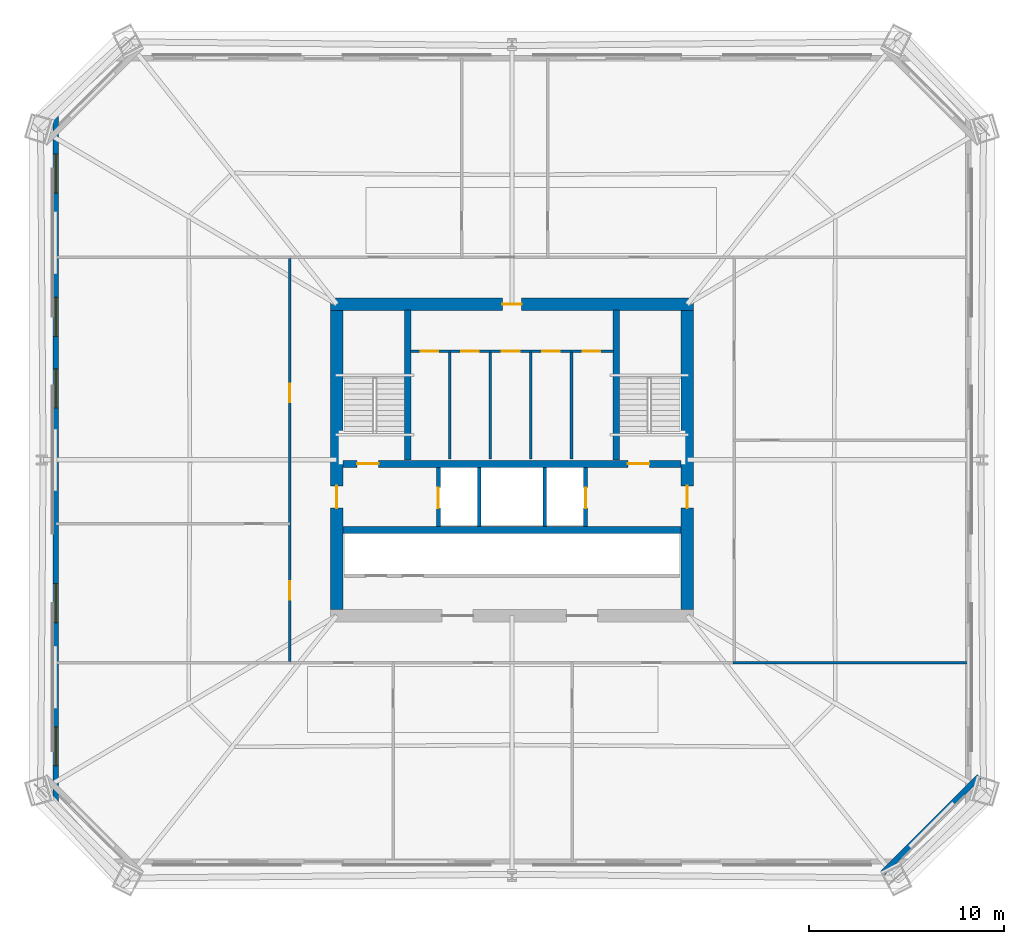
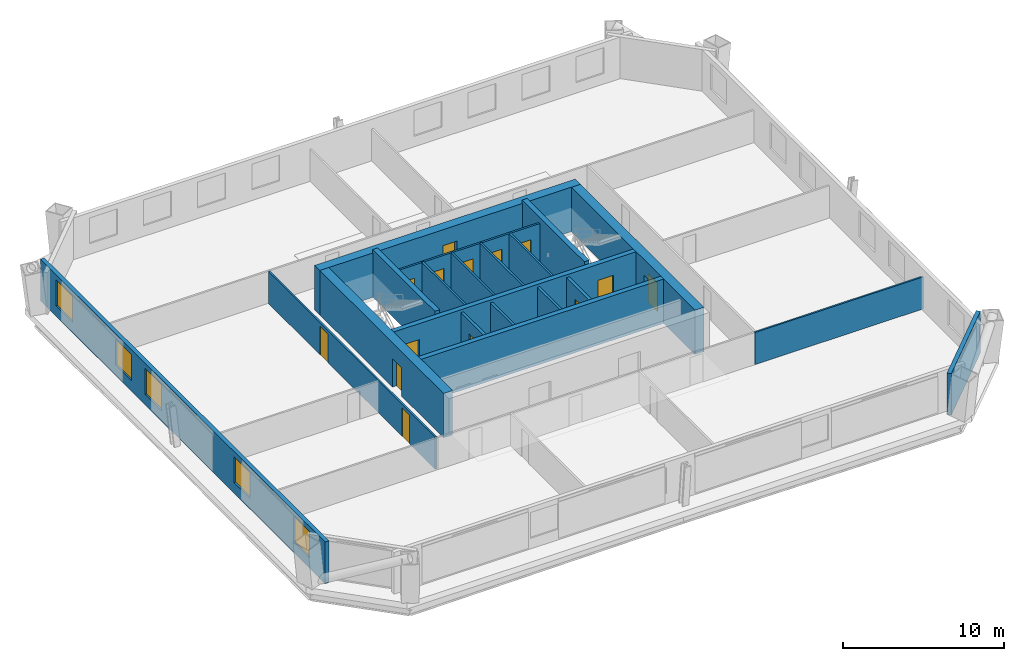
# One storey, part 3 of 7: 20 walls, 14 doors, 5 windows, 19 openings.
"""IFC4 building model written with IfcOpenShell, lengths in metres."""

from ifc_helpers import new_model, si_unit, direction, frame, frame_2d, origin, place, context, subcontext, project, spatial, rectangle, extrude, material, layer, layer_set, type_object, element, fill, save


model = new_model("IFC4")

# Units and contexts
model_context = context("Model", 3, precision=1e-05, world=origin(), true_north=direction((0.0, 1.0)))
body_context = subcontext(model_context, "Body", "Model", "MODEL_VIEW")
ifc_project = project(units=[si_unit("LENGTHUNIT", "METRE"), si_unit("AREAUNIT", "SQUARE_METRE"), si_unit("VOLUMEUNIT", "CUBIC_METRE"), si_unit("PLANEANGLEUNIT", "RADIAN"), si_unit("MASSUNIT", "GRAM", prefix="KILO")], contexts=[model_context])

# Site, building, storey
site_placement = place(None, origin())
site = spatial("IfcSite", under=ifc_project, at=site_placement, CompositionType="ELEMENT")
building_placement = place(site_placement, origin())
building = spatial("IfcBuilding", under=site, at=building_placement, Name="Caelvoria Tower", CompositionType="ELEMENT")
storey_placement = place(building_placement, frame((0.0, 0.0, 35.199951171875)))
storey = spatial("IfcBuildingStorey", under=building, at=storey_placement, Name="L08", CompositionType="ELEMENT", Elevation=35.199951171875)

# Wall, openings, doors
ifc_material_1 = material(Name="Concrete C50/60", Category="concrete")
ifc_layer_1 = layer(ifc_material_1, 0.35009765625, Name="Concrete C50/60")
ifc_layer_set_1 = layer_set([ifc_layer_1], Name="Core Internal Shear Wall 350 - Concrete C50/60")
wall_type_1 = type_object("IfcWallType", Name="Core Internal Shear Wall 350", PredefinedType="SHEAR", material=ifc_layer_set_1)
wall_1_placement = place(storey_placement, frame((37.324951171875, 31.800048828125, 0.0), z_axis=(0.0, 0.0, 1.0), x_axis=(1.0, 0.0, 0.0)))
wall_1 = element("IfcWall", 1, at=wall_1_placement, inside=storey, type_object=wall_type_1, Name="Core Shear Wall L08 M1", PredefinedType="SHEAR", context=body_context, shape_type="SweptSolid", body=[
    extrude(rectangle(XDim=17.35009765625, YDim=0.35009765625, at=frame_2d((8.675048828125, 0.0))), origin(), (0.0, 0.0, 1.0), 3.360107421875),
])
opening_1_placement = place(wall_1_placement, frame((0.72509765625, 0.0, 0.0)))
opening_1 = element("IfcOpeningElement", 2, at=opening_1_placement, cuts=wall_1, Name="Opening ID-01", PredefinedType="OPENING", context=body_context, shape_type="SweptSolid", body=[
    extrude(rectangle(XDim=1.10009765625, YDim=2.14990234375, at=frame_2d((0.550048828125, 1.074951171875))), frame((0.0, 0.18505859375, 0.0), z_axis=(0.0, -1.0, 0.0), x_axis=(1.0, 0.0, 0.0)), (0.0, 0.0, 1.0), 0.3701171875),
])
opening_2_placement = place(wall_1_placement, frame((14.625, 0.0, 0.0)))
opening_2 = element("IfcOpeningElement", 3, at=opening_2_placement, cuts=wall_1, Name="Opening ID-01", PredefinedType="OPENING", context=body_context, shape_type="SweptSolid", body=[
    extrude(rectangle(XDim=1.10009765625, YDim=2.14990234375, at=frame_2d((0.550048828125, 1.074951171875))), frame((0.0, 0.18505859375, 0.0), z_axis=(0.0, -1.0, 0.0), x_axis=(1.0, 0.0, 0.0)), (0.0, 0.0, 1.0), 0.3701171875),
])
ifc_material_2 = material(Name="Painted Hollow Steel Fire Door", Category="steel")
door_type_1 = type_object("IfcDoorType", Name="Fire Door FD90S 1100x2150", OperationType="NOTDEFINED", PredefinedType="DOOR", material=ifc_material_2)
door_1_placement = place(opening_1_placement, origin())
door_1 = element("IfcDoor", 4, at=door_1_placement, inside=storey, type_object=door_type_1, Name="Core Door DR-L08-ST1", OperationType="SINGLE_SWING_LEFT", OverallHeight=2.14990234375, OverallWidth=1.10009765625, PredefinedType="DOOR", context=body_context, shape_type="SweptSolid", body=[
    extrude(rectangle(XDim=1.10009765625, YDim=2.14990234375, at=frame_2d((0.550048828125, 1.074951171875))), frame((0.0, 0.02490234375, 0.0), z_axis=(0.0, -1.0, 0.0), x_axis=(1.0, 0.0, 0.0)), (0.0, 0.0, 1.0), 0.050048828125),
])
fill(opening_1, door_1)
door_2_placement = place(opening_2_placement, origin())
door_2 = element("IfcDoor", 5, at=door_2_placement, inside=storey, type_object=door_type_1, Name="Core Door DR-L08-ST2", OperationType="SINGLE_SWING_RIGHT", OverallHeight=2.14990234375, OverallWidth=1.10009765625, PredefinedType="DOOR", context=body_context, shape_type="SweptSolid", body=[
    extrude(rectangle(XDim=1.10009765625, YDim=2.14990234375, at=frame_2d((0.550048828125, 1.074951171875))), frame((0.0, 0.02490234375, 0.0), z_axis=(0.0, -1.0, 0.0), x_axis=(1.0, 0.0, 0.0)), (0.0, 0.0, 1.0), 0.050048828125),
])
fill(opening_2, door_2)

# Walls
wall_2_placement = place(storey_placement, frame((37.324951171875, 28.39990234375, 0.0), z_axis=(0.0, 0.0, 1.0), x_axis=(1.0, 0.0, 0.0)))
element("IfcWall", 6, at=wall_2_placement, inside=storey, type_object=wall_type_1, Name="Core Shear Wall L08 M2", PredefinedType="SHEAR", context=body_context, shape_type="SweptSolid", body=[
    extrude(rectangle(XDim=17.35009765625, YDim=0.35009765625, at=frame_2d((8.675048828125, 0.0))), origin(), (0.0, 0.0, 1.0), 3.360107421875),
])
for number, where, z_axis, x_axis, name in (
    (7, (40.64990234375, 32.0, 0.0), (0.0, 0.0, 1.0), (0.0, 1.0, 0.0), "Interior Partition IW-L08-ST1E"),
    (8, (51.35009765625, 32.0, 0.0), (0.0, 0.0, 1.0), (0.0, 1.0, 0.0), "Interior Partition IW-L08-ST2W"),
):
    element("IfcWall", number, at=place(storey_placement, frame(where, z_axis=z_axis, x_axis=x_axis)), inside=storey, type_object=wall_type_1, Name=name, PredefinedType="SHEAR", context=body_context, shape_type="SweptSolid", body=[
        extrude(rectangle(XDim=7.699951171875, YDim=0.35009765625, at=frame_2d((3.85009765625, 0.0))), origin(), (0.0, 0.0, 1.0), 3.60009765625),
    ])
ifc_material_3 = material(Name="Moisture-Resistant Gypsum on Steel Stud", Category="steel")
ifc_layer_2 = layer(ifc_material_3, 0.139892578125, Name="Moisture-Resistant Gypsum on Steel Stud")
ifc_layer_set_2 = layer_set([ifc_layer_2], Name="Core Sanitary Acoustic Partition Wall 140 - Moisture-Resistant Gypsum on Steel Stud")
wall_type_2 = type_object("IfcWallType", Name="Core Sanitary Acoustic Partition Wall 140", PredefinedType="PARTITIONING", material=ifc_layer_set_2)
for number, where, z_axis, x_axis, name in (
    (9, (42.81005859375, 32.050048828125, 0.0), (0.0, 0.0, 1.0), (0.0, 1.0, 0.0), "Interior Partition IW-L08-C1V0"),
    (10, (44.889892578125, 32.050048828125, 0.0), (0.0, 0.0, 1.0), (0.0, 1.0, 0.0), "Interior Partition IW-L08-C1V1"),
    (11, (46.969970703125, 32.050048828125, 0.0), (0.0, 0.0, 1.0), (0.0, 1.0, 0.0), "Interior Partition IW-L08-C1V2"),
    (12, (49.050048828125, 32.050048828125, 0.0), (0.0, 0.0, 1.0), (0.0, 1.0, 0.0), "Interior Partition IW-L08-C1V3"),
):
    element("IfcWall", number, at=place(storey_placement, frame(where, z_axis=z_axis, x_axis=x_axis)), inside=storey, type_object=wall_type_2, Name=name, PredefinedType="PARTITIONING", context=body_context, shape_type="SweptSolid", body=[
        extrude(rectangle(XDim=5.5, YDim=0.139892578125, at=frame_2d((2.75, 0.0))), origin(), (0.0, 0.0, 1.0), 3.150146484375),
    ])

# Wall, openings, doors
wall_3_placement = place(storey_placement, frame((40.800048828125, 37.580078125, 0.0), z_axis=(0.0, 0.0, 1.0), x_axis=(1.0, 0.0, 0.0)))
wall_3 = element("IfcWall", 13, at=wall_3_placement, inside=storey, type_object=wall_type_2, Name="Interior Partition IW-L08-C1H", PredefinedType="PARTITIONING", context=body_context, shape_type="SweptSolid", body=[
    extrude(rectangle(XDim=10.39990234375, YDim=0.139892578125, at=frame_2d((5.199951171875, 0.0))), origin(), (0.0, 0.0, 1.0), 3.150146484375),
])
opening_3_placement = place(wall_3_placement, frame((0.52001953125, 0.0, 0.0)))
opening_3 = element("IfcOpeningElement", 14, at=opening_3_placement, cuts=wall_3, Name="Opening ID-06", PredefinedType="OPENING", context=body_context, shape_type="SweptSolid", body=[
    extrude(rectangle(XDim=0.89990234375, YDim=2.14990234375, at=frame_2d((0.449951171875, 1.074951171875))), frame((0.0, 0.079833984375, 0.0), z_axis=(0.0, -1.0, 0.0), x_axis=(1.0, 0.0, 0.0)), (0.0, 0.0, 1.0), 0.159912109375),
])
opening_4_placement = place(wall_3_placement, frame((2.60009765625, 0.0, 0.0)))
opening_4 = element("IfcOpeningElement", 15, at=opening_4_placement, cuts=wall_3, Name="Opening ID-06", PredefinedType="OPENING", context=body_context, shape_type="SweptSolid", body=[
    extrude(rectangle(XDim=0.89990234375, YDim=2.14990234375, at=frame_2d((0.449951171875, 1.074951171875))), frame((0.0, 0.079833984375, 0.0), z_axis=(0.0, -1.0, 0.0), x_axis=(1.0, 0.0, 0.0)), (0.0, 0.0, 1.0), 0.159912109375),
])
opening_5_placement = place(wall_3_placement, frame((4.679931640625, 0.0, 0.0)))
opening_5 = element("IfcOpeningElement", 16, at=opening_5_placement, cuts=wall_3, Name="Opening ID-07", PredefinedType="OPENING", context=body_context, shape_type="SweptSolid", body=[
    extrude(rectangle(XDim=0.919921875, YDim=2.14990234375, at=frame_2d((0.4599609375, 1.074951171875))), frame((0.0, 0.079833984375, 0.0), z_axis=(0.0, -1.0, 0.0), x_axis=(1.0, 0.0, 0.0)), (0.0, 0.0, 1.0), 0.159912109375),
])
opening_6_placement = place(wall_3_placement, frame((6.760009765625, 0.0, 0.0)))
opening_6 = element("IfcOpeningElement", 17, at=opening_6_placement, cuts=wall_3, Name="Opening ID-06", PredefinedType="OPENING", context=body_context, shape_type="SweptSolid", body=[
    extrude(rectangle(XDim=0.89990234375, YDim=2.14990234375, at=frame_2d((0.449951171875, 1.074951171875))), frame((0.0, 0.079833984375, 0.0), z_axis=(0.0, -1.0, 0.0), x_axis=(1.0, 0.0, 0.0)), (0.0, 0.0, 1.0), 0.159912109375),
])
opening_7_placement = place(wall_3_placement, frame((8.840087890625, 0.0, 0.0)))
opening_7 = element("IfcOpeningElement", 18, at=opening_7_placement, cuts=wall_3, Name="Opening ID-06", PredefinedType="OPENING", context=body_context, shape_type="SweptSolid", body=[
    extrude(rectangle(XDim=0.89990234375, YDim=2.14990234375, at=frame_2d((0.449951171875, 1.074951171875))), frame((0.0, 0.079833984375, 0.0), z_axis=(0.0, -1.0, 0.0), x_axis=(1.0, 0.0, 0.0)), (0.0, 0.0, 1.0), 0.159912109375),
])
ifc_material_4 = material(Name="Engineered Andean Oak Accessible Door", Category="wood")
door_type_2 = type_object("IfcDoorType", Name="Accessible WC Door 950x2150", OperationType="NOTDEFINED", PredefinedType="DOOR", material=ifc_material_4)
door_3_placement = place(opening_5_placement, origin())
door_3 = element("IfcDoor", 19, at=door_3_placement, inside=storey, type_object=door_type_2, Name="Interior Door DR-L08-C1-3", OperationType="SINGLE_SWING_LEFT", OverallHeight=2.14990234375, OverallWidth=0.919921875, PredefinedType="DOOR", context=body_context, shape_type="SweptSolid", body=[
    extrude(rectangle(XDim=0.919921875, YDim=2.14990234375, at=frame_2d((0.4599609375, 1.074951171875))), frame((0.0, 0.02490234375, 0.0), z_axis=(0.0, -1.0, 0.0), x_axis=(1.0, 0.0, 0.0)), (0.0, 0.0, 1.0), 0.050048828125),
])
fill(opening_5, door_3)
ifc_material_5 = material(Name="Engineered Andean Oak Veneer Door", Category="wood")
door_type_3 = type_object("IfcDoorType", Name="Interior Timber Door 900x2150", OperationType="NOTDEFINED", PredefinedType="DOOR", material=ifc_material_5)
door_4_placement = place(opening_3_placement, origin())
door_4 = element("IfcDoor", 20, at=door_4_placement, inside=storey, type_object=door_type_3, Name="Interior Door DR-L08-C1-1", OperationType="SINGLE_SWING_LEFT", OverallHeight=2.14990234375, OverallWidth=0.89990234375, PredefinedType="DOOR", context=body_context, shape_type="SweptSolid", body=[
    extrude(rectangle(XDim=0.89990234375, YDim=2.14990234375, at=frame_2d((0.449951171875, 1.074951171875))), frame((0.0, 0.02490234375, 0.0), z_axis=(0.0, -1.0, 0.0), x_axis=(1.0, 0.0, 0.0)), (0.0, 0.0, 1.0), 0.050048828125),
])
fill(opening_3, door_4)
door_5_placement = place(opening_4_placement, origin())
door_5 = element("IfcDoor", 21, at=door_5_placement, inside=storey, type_object=door_type_3, Name="Interior Door DR-L08-C1-2", OperationType="SINGLE_SWING_RIGHT", OverallHeight=2.14990234375, OverallWidth=0.89990234375, PredefinedType="DOOR", context=body_context, shape_type="SweptSolid", body=[
    extrude(rectangle(XDim=0.89990234375, YDim=2.14990234375, at=frame_2d((0.449951171875, 1.074951171875))), frame((0.0, 0.02490234375, 0.0), z_axis=(0.0, -1.0, 0.0), x_axis=(1.0, 0.0, 0.0)), (0.0, 0.0, 1.0), 0.050048828125),
])
fill(opening_4, door_5)
door_6_placement = place(opening_6_placement, origin())
door_6 = element("IfcDoor", 22, at=door_6_placement, inside=storey, type_object=door_type_3, Name="Interior Door DR-L08-C1-4", OperationType="SINGLE_SWING_RIGHT", OverallHeight=2.14990234375, OverallWidth=0.89990234375, PredefinedType="DOOR", context=body_context, shape_type="SweptSolid", body=[
    extrude(rectangle(XDim=0.89990234375, YDim=2.14990234375, at=frame_2d((0.449951171875, 1.074951171875))), frame((0.0, 0.02490234375, 0.0), z_axis=(0.0, -1.0, 0.0), x_axis=(1.0, 0.0, 0.0)), (0.0, 0.0, 1.0), 0.050048828125),
])
fill(opening_6, door_6)
door_7_placement = place(opening_7_placement, origin())
door_7 = element("IfcDoor", 23, at=door_7_placement, inside=storey, type_object=door_type_3, Name="Interior Door DR-L08-C1-5", OperationType="SINGLE_SWING_LEFT", OverallHeight=2.14990234375, OverallWidth=0.89990234375, PredefinedType="DOOR", context=body_context, shape_type="SweptSolid", body=[
    extrude(rectangle(XDim=0.89990234375, YDim=2.14990234375, at=frame_2d((0.449951171875, 1.074951171875))), frame((0.0, 0.02490234375, 0.0), z_axis=(0.0, -1.0, 0.0), x_axis=(1.0, 0.0, 0.0)), (0.0, 0.0, 1.0), 0.050048828125),
])
fill(opening_7, door_7)

# Wall
ifc_material_6 = material(Name="Precast Concrete C40/50 with Bronze Cladding", Category="concrete")
ifc_layer_3 = layer(ifc_material_6, 0.280029296875, Name="Precast Concrete C40/50 with Bronze Cladding")
ifc_layer_set_3 = layer_set([ifc_layer_3], Name="Exterior Precast Concrete C40/50 Bronze-Clad Facade Wall 280 - Precast Concrete C40/50 with Bronze Cladding")
wall_type_3 = type_object("IfcWallType", Name="Exterior Precast Concrete C40/50 Bronze-Clad Facade Wall 280", PredefinedType="STANDARD", material=ifc_layer_set_3)
wall_4_placement = place(storey_placement, frame((65.054443359375, 10.80615234375, 0.0), z_axis=(0.0, 0.0, 1.0), x_axis=(0.707106781187, 0.707106781187, 0.0)))
element("IfcWall", 24, at=wall_4_placement, inside=storey, type_object=wall_type_3, Name="Exterior Facade Wall L08-E1", PredefinedType="STANDARD", context=body_context, shape_type="SweptSolid", body=[
    extrude(rectangle(XDim=6.9853515625, YDim=0.280029296875, at=frame_2d((3.49267578125, 0.0))), origin(), (0.0, 0.0, 1.0), 3.150146484375),
])

# Wall, openings, windows
wall_5_placement = place(storey_placement, frame((22.580078125, 49.639892578125, 0.0), z_axis=(0.0, 0.0, 1.0), x_axis=(0.0, -1.0, 0.0)))
wall_5 = element("IfcWall", 25, at=wall_5_placement, inside=storey, type_object=wall_type_3, Name="Exterior Facade Wall L08-E6", PredefinedType="STANDARD", context=body_context, shape_type="SweptSolid", body=[
    extrude(rectangle(XDim=35.27978515625, YDim=0.280029296875, at=frame_2d((17.639892578125, 0.0))), origin(), (0.0, 0.0, 1.0), 3.150146484375),
])
opening_8_placement = place(wall_5_placement, frame((1.937744140625, 0.0, 0.800048828125)))
opening_8 = element("IfcOpeningElement", 26, at=opening_8_placement, cuts=wall_5, Name="Opening WN-01", PredefinedType="OPENING", context=body_context, shape_type="SweptSolid", body=[
    extrude(rectangle(XDim=2.0, YDim=1.949951171875, at=frame_2d((1.0, 0.97509765625))), frame((0.0, 0.14990234375, 0.0), z_axis=(0.0, -1.0, 0.0), x_axis=(1.0, 0.0, 0.0)), (0.0, 0.0, 1.0), 0.300048828125),
])
opening_9_placement = place(wall_5_placement, frame((9.288818359375, 0.0, 0.800048828125)))
opening_9 = element("IfcOpeningElement", 27, at=opening_9_placement, cuts=wall_5, Name="Opening WN-01", PredefinedType="OPENING", context=body_context, shape_type="SweptSolid", body=[
    extrude(rectangle(XDim=2.0, YDim=1.949951171875, at=frame_2d((1.0, 0.97509765625))), frame((0.0, 0.14990234375, 0.0), z_axis=(0.0, -1.0, 0.0), x_axis=(1.0, 0.0, 0.0)), (0.0, 0.0, 1.0), 0.300048828125),
])
opening_10_placement = place(wall_5_placement, frame((12.96435546875, 0.0, 0.800048828125)))
opening_10 = element("IfcOpeningElement", 28, at=opening_10_placement, cuts=wall_5, Name="Opening WN-01", PredefinedType="OPENING", context=body_context, shape_type="SweptSolid", body=[
    extrude(rectangle(XDim=2.0, YDim=1.949951171875, at=frame_2d((1.0, 0.97509765625))), frame((0.0, 0.14990234375, 0.0), z_axis=(0.0, -1.0, 0.0), x_axis=(1.0, 0.0, 0.0)), (0.0, 0.0, 1.0), 0.300048828125),
])
opening_11_placement = place(wall_5_placement, frame((23.9912109375, 0.0, 0.800048828125)))
opening_11 = element("IfcOpeningElement", 29, at=opening_11_placement, cuts=wall_5, Name="Opening WN-01", PredefinedType="OPENING", context=body_context, shape_type="SweptSolid", body=[
    extrude(rectangle(XDim=2.0, YDim=1.949951171875, at=frame_2d((1.0, 0.97509765625))), frame((0.0, 0.14990234375, 0.0), z_axis=(0.0, -1.0, 0.0), x_axis=(1.0, 0.0, 0.0)), (0.0, 0.0, 1.0), 0.300048828125),
])
opening_12_placement = place(wall_5_placement, frame((31.34228515625, 0.0, 0.800048828125)))
opening_12 = element("IfcOpeningElement", 30, at=opening_12_placement, cuts=wall_5, Name="Opening WN-01", PredefinedType="OPENING", context=body_context, shape_type="SweptSolid", body=[
    extrude(rectangle(XDim=2.0, YDim=1.949951171875, at=frame_2d((1.0, 0.97509765625))), frame((0.0, 0.14990234375, 0.0), z_axis=(0.0, -1.0, 0.0), x_axis=(1.0, 0.0, 0.0)), (0.0, 0.0, 1.0), 0.300048828125),
])
ifc_material_7 = material(Name="Low-E Tinted Glass in Bronze Aluminium Frame", Category="aluminium")
window_type = type_object("IfcWindowType", Name="Tower Office Vision Window 2000x1950", PartitioningType="SINGLE_PANEL", PredefinedType="WINDOW", material=ifc_material_7)
window_1_placement = place(opening_8_placement, origin())
window_1 = element("IfcWindow", 31, at=window_1_placement, inside=storey, type_object=window_type, Name="Facade Window L08-E6-00", OverallHeight=1.949951171875, OverallWidth=2.0, PartitioningType="SINGLE_PANEL", PredefinedType="WINDOW", context=body_context, shape_type="SweptSolid", body=[
    extrude(rectangle(XDim=2.0, YDim=1.949951171875, at=frame_2d((1.0, 0.97509765625))), frame((0.0, 0.030029296875, 0.0), z_axis=(0.0, -1.0, 0.0), x_axis=(1.0, 0.0, 0.0)), (0.0, 0.0, 1.0), 0.06005859375),
])
fill(opening_8, window_1)
window_2_placement = place(opening_9_placement, origin())
window_2 = element("IfcWindow", 32, at=window_2_placement, inside=storey, type_object=window_type, Name="Facade Window L08-E6-02", OverallHeight=1.949951171875, OverallWidth=2.0, PartitioningType="SINGLE_PANEL", PredefinedType="WINDOW", context=body_context, shape_type="SweptSolid", body=[
    extrude(rectangle(XDim=2.0, YDim=1.949951171875, at=frame_2d((1.0, 0.97509765625))), frame((0.0, 0.030029296875, 0.0), z_axis=(0.0, -1.0, 0.0), x_axis=(1.0, 0.0, 0.0)), (0.0, 0.0, 1.0), 0.06005859375),
])
fill(opening_9, window_2)
window_3_placement = place(opening_10_placement, origin())
window_3 = element("IfcWindow", 33, at=window_3_placement, inside=storey, type_object=window_type, Name="Facade Window L08-E6-03", OverallHeight=1.949951171875, OverallWidth=2.0, PartitioningType="SINGLE_PANEL", PredefinedType="WINDOW", context=body_context, shape_type="SweptSolid", body=[
    extrude(rectangle(XDim=2.0, YDim=1.949951171875, at=frame_2d((1.0, 0.97509765625))), frame((0.0, 0.030029296875, 0.0), z_axis=(0.0, -1.0, 0.0), x_axis=(1.0, 0.0, 0.0)), (0.0, 0.0, 1.0), 0.06005859375),
])
fill(opening_10, window_3)
window_4_placement = place(opening_11_placement, origin())
window_4 = element("IfcWindow", 34, at=window_4_placement, inside=storey, type_object=window_type, Name="Facade Window L08-E6-06", OverallHeight=1.949951171875, OverallWidth=2.0, PartitioningType="SINGLE_PANEL", PredefinedType="WINDOW", context=body_context, shape_type="SweptSolid", body=[
    extrude(rectangle(XDim=2.0, YDim=1.949951171875, at=frame_2d((1.0, 0.97509765625))), frame((0.0, 0.030029296875, 0.0), z_axis=(0.0, -1.0, 0.0), x_axis=(1.0, 0.0, 0.0)), (0.0, 0.0, 1.0), 0.06005859375),
])
fill(opening_11, window_4)
window_5_placement = place(opening_12_placement, origin())
window_5 = element("IfcWindow", 35, at=window_5_placement, inside=storey, type_object=window_type, Name="Facade Window L08-E6-08", OverallHeight=1.949951171875, OverallWidth=2.0, PartitioningType="SINGLE_PANEL", PredefinedType="WINDOW", context=body_context, shape_type="SweptSolid", body=[
    extrude(rectangle(XDim=2.0, YDim=1.949951171875, at=frame_2d((1.0, 0.97509765625))), frame((0.0, 0.030029296875, 0.0), z_axis=(0.0, -1.0, 0.0), x_axis=(1.0, 0.0, 0.0)), (0.0, 0.0, 1.0), 0.06005859375),
])
fill(opening_12, window_5)

# Walls
ifc_material_8 = material(Name="Concrete Block and Fireboard Assembly", Category="concrete")
ifc_layer_4 = layer(ifc_material_8, 0.179931640625, Name="Concrete Block and Fireboard Assembly")
ifc_layer_set_4 = layer_set([ifc_layer_4], Name="Fire-Rated Hoistway Partition Wall 180 - Concrete Block and Fireboard Assembly")
wall_type_4 = type_object("IfcWallType", Name="Fire-Rated Hoistway Partition Wall 180", PredefinedType="PARTITIONING", material=ifc_layer_set_4)
for number, where, z_axis, x_axis, name in (
    (36, (44.320068359375, 28.580078125, 0.0), (0.0, 0.0, 1.0), (0.0, 1.0, 0.0), "Interior Partition IW-L08-SV1W"),
    (37, (47.679931640625, 28.580078125, 0.0), (0.0, 0.0, 1.0), (0.0, 1.0, 0.0), "Interior Partition IW-L08-SV1E"),
):
    element("IfcWall", number, at=place(storey_placement, frame(where, z_axis=z_axis, x_axis=x_axis)), inside=storey, type_object=wall_type_4, Name=name, PredefinedType="PARTITIONING", context=body_context, shape_type="SweptSolid", body=[
        extrude(rectangle(XDim=3.0400390625, YDim=0.179931640625, at=frame_2d((1.52001953125, 0.0))), origin(), (0.0, 0.0, 1.0), 3.150146484375),
    ])

# Wall, opening, door
ifc_layer_5 = layer(ifc_material_8, 0.199951171875, Name="Concrete Block and Fireboard Assembly")
ifc_layer_set_5 = layer_set([ifc_layer_5], Name="Fire-Rated Shaft and Core Partition Wall 200 - Concrete Block and Fireboard Assembly")
wall_type_5 = type_object("IfcWallType", Name="Fire-Rated Shaft and Core Partition Wall 200", PredefinedType="PARTITIONING", material=ifc_layer_set_5)
wall_6_placement = place(storey_placement, frame((42.219970703125, 28.580078125, 0.0), z_axis=(0.0, 0.0, 1.0), x_axis=(0.0, 1.0, 0.0)))
wall_6 = element("IfcWall", 38, at=wall_6_placement, inside=storey, type_object=wall_type_5, Name="Interior Partition IW-L08-LF1W", PredefinedType="PARTITIONING", context=body_context, shape_type="SweptSolid", body=[
    extrude(rectangle(XDim=3.0400390625, YDim=0.199951171875, at=frame_2d((1.52001953125, 0.0))), origin(), (0.0, 0.0, 1.0), 3.150146484375),
])
opening_13_placement = place(wall_6_placement, frame((0.949951171875, 0.0, 0.0)))
opening_13 = element("IfcOpeningElement", 39, at=opening_13_placement, cuts=wall_6, Name="Opening LD-01", PredefinedType="OPENING", context=body_context, shape_type="SweptSolid", body=[
    extrude(rectangle(XDim=1.050048828125, YDim=2.14990234375, at=frame_2d((0.52490234375, 1.074951171875))), frame((0.0, 0.10986328125, 0.0), z_axis=(0.0, -1.0, 0.0), x_axis=(1.0, 0.0, 0.0)), (0.0, 0.0, 1.0), 0.219970703125),
])
ifc_material_9 = material(Name="Brushed Bronze Stainless Sliding Landing Door", Category="aluminium")
door_type_4 = type_object("IfcDoorType", Name="Lift Landing Sliding Door 1100x2150", OperationType="NOTDEFINED", PredefinedType="DOOR", material=ifc_material_9)
door_8_placement = place(opening_13_placement, origin())
door_8 = element("IfcDoor", 40, at=door_8_placement, inside=storey, type_object=door_type_4, Name="Interior Door LD-L08-LF1", OperationType="SLIDING_TO_LEFT", OverallHeight=2.14990234375, OverallWidth=1.050048828125, PredefinedType="DOOR", context=body_context, shape_type="SweptSolid", body=[
    extrude(rectangle(XDim=1.050048828125, YDim=2.14990234375, at=frame_2d((0.52490234375, 1.074951171875))), frame((0.0, 0.02490234375, 0.0), z_axis=(0.0, -1.0, 0.0), x_axis=(1.0, 0.0, 0.0)), (0.0, 0.0, 1.0), 0.050048828125),
])
fill(opening_13, door_8)

wall_7_placement = place(storey_placement, frame((49.780029296875, 28.580078125, 0.0), z_axis=(0.0, 0.0, 1.0), x_axis=(0.0, 1.0, 0.0)))
wall_7 = element("IfcWall", 41, at=wall_7_placement, inside=storey, type_object=wall_type_5, Name="Interior Partition IW-L08-LF2E", PredefinedType="PARTITIONING", context=body_context, shape_type="SweptSolid", body=[
    extrude(rectangle(XDim=3.0400390625, YDim=0.199951171875, at=frame_2d((1.52001953125, 0.0))), origin(), (0.0, 0.0, 1.0), 3.150146484375),
])
opening_14_placement = place(wall_7_placement, frame((0.949951171875, 0.0, 0.0)))
opening_14 = element("IfcOpeningElement", 42, at=opening_14_placement, cuts=wall_7, Name="Opening LD-01", PredefinedType="OPENING", context=body_context, shape_type="SweptSolid", body=[
    extrude(rectangle(XDim=1.050048828125, YDim=2.14990234375, at=frame_2d((0.52490234375, 1.074951171875))), frame((0.0, 0.10986328125, 0.0), z_axis=(0.0, -1.0, 0.0), x_axis=(1.0, 0.0, 0.0)), (0.0, 0.0, 1.0), 0.219970703125),
])
door_9_placement = place(opening_14_placement, origin())
door_9 = element("IfcDoor", 43, at=door_9_placement, inside=storey, type_object=door_type_4, Name="Interior Door LD-L08-LF2", OperationType="SLIDING_TO_RIGHT", OverallHeight=2.14990234375, OverallWidth=1.050048828125, PredefinedType="DOOR", context=body_context, shape_type="SweptSolid", body=[
    extrude(rectangle(XDim=1.050048828125, YDim=2.14990234375, at=frame_2d((0.52490234375, 1.074951171875))), frame((0.0, 0.02490234375, 0.0), z_axis=(0.0, -1.0, 0.0), x_axis=(1.0, 0.0, 0.0)), (0.0, 0.0, 1.0), 0.050048828125),
])
fill(opening_14, door_9)

ifc_material_10 = material(Name="Concrete C60/75", Category="concrete")
ifc_layer_6 = layer(ifc_material_10, 0.64990234375, Name="Concrete C60/75")
ifc_layer_set_6 = layer_set([ifc_layer_6], Name="Lower Core Shear Wall 650 - Concrete C60/75")
wall_type_6 = type_object("IfcWallType", Name="Lower Core Shear Wall 650", PredefinedType="SHEAR", material=ifc_layer_set_6)
wall_8_placement = place(storey_placement, frame((36.675048828125, 40.0, 0.0), z_axis=(0.0, 0.0, 1.0), x_axis=(1.0, 0.0, 0.0)))
wall_8 = element("IfcWall", 44, at=wall_8_placement, inside=storey, type_object=wall_type_6, Name="Core Shear Wall L08 N", PredefinedType="SHEAR", context=body_context, shape_type="SweptSolid", body=[
    extrude(rectangle(XDim=18.64990234375, YDim=0.64990234375, at=frame_2d((9.324951171875, 0.0))), origin(), (0.0, 0.0, 1.0), 3.360107421875),
])
opening_15_placement = place(wall_8_placement, frame((8.824951171875, 0.0, 0.0)))
opening_15 = element("IfcOpeningElement", 45, at=opening_15_placement, cuts=wall_8, Name="Opening ID-03", PredefinedType="OPENING", context=body_context, shape_type="SweptSolid", body=[
    extrude(rectangle(XDim=1.0, YDim=2.14990234375, at=frame_2d((0.5, 1.074951171875))), frame((0.0, 0.3349609375, 0.0), z_axis=(0.0, -1.0, 0.0), x_axis=(1.0, 0.0, 0.0)), (0.0, 0.0, 1.0), 0.669921875),
])
door_type_5 = type_object("IfcDoorType", Name="Fire Door FD60S 1000x2150", OperationType="NOTDEFINED", PredefinedType="DOOR", material=ifc_material_2)
door_10_placement = place(opening_15_placement, origin())
door_10 = element("IfcDoor", 46, at=door_10_placement, inside=storey, type_object=door_type_5, Name="Core Door DR-L08-WC-MAIN", OperationType="SINGLE_SWING_RIGHT", OverallHeight=2.14990234375, OverallWidth=1.0, PredefinedType="DOOR", context=body_context, shape_type="SweptSolid", body=[
    extrude(rectangle(XDim=1.0, YDim=2.14990234375, at=frame_2d((0.5, 1.074951171875))), frame((0.0, 0.02490234375, 0.0), z_axis=(0.0, -1.0, 0.0), x_axis=(1.0, 0.0, 0.0)), (0.0, 0.0, 1.0), 0.050048828125),
])
fill(opening_15, door_10)

wall_9_placement = place(storey_placement, frame((37.0, 24.324951171875, 0.0), z_axis=(0.0, 0.0, 1.0), x_axis=(0.0, 1.0, 0.0)))
wall_9 = element("IfcWall", 47, at=wall_9_placement, inside=storey, type_object=wall_type_6, Name="Core Shear Wall L08 W", PredefinedType="SHEAR", context=body_context, shape_type="SweptSolid", body=[
    extrude(rectangle(XDim=15.35009765625, YDim=0.64990234375, at=frame_2d((7.675048828125, 0.0))), origin(), (0.0, 0.0, 1.0), 3.360107421875),
])
opening_16_placement = place(wall_9_placement, frame((5.199951171875, 0.0, 0.0)))
opening_16 = element("IfcOpeningElement", 48, at=opening_16_placement, cuts=wall_9, Name="Opening ID-02", PredefinedType="OPENING", context=body_context, shape_type="SweptSolid", body=[
    extrude(rectangle(XDim=1.14990234375, YDim=2.14990234375, at=frame_2d((0.574951171875, 1.074951171875))), frame((0.0, 0.3349609375, 0.0), z_axis=(0.0, -1.0, 0.0), x_axis=(1.0, 0.0, 0.0)), (0.0, 0.0, 1.0), 0.669921875),
])
door_type_6 = type_object("IfcDoorType", Name="Fire Door FD60S 1150x2150", OperationType="NOTDEFINED", PredefinedType="DOOR", material=ifc_material_2)
door_11_placement = place(opening_16_placement, origin())
door_11 = element("IfcDoor", 49, at=door_11_placement, inside=storey, type_object=door_type_6, Name="Core Door DR-L08-FFLW-OUT", OperationType="SINGLE_SWING_LEFT", OverallHeight=2.14990234375, OverallWidth=1.14990234375, PredefinedType="DOOR", context=body_context, shape_type="SweptSolid", body=[
    extrude(rectangle(XDim=1.14990234375, YDim=2.14990234375, at=frame_2d((0.574951171875, 1.074951171875))), frame((0.0, 0.02490234375, 0.0), z_axis=(0.0, -1.0, 0.0), x_axis=(1.0, 0.0, 0.0)), (0.0, 0.0, 1.0), 0.050048828125),
])
fill(opening_16, door_11)

wall_10_placement = place(storey_placement, frame((55.0, 24.324951171875, 0.0), z_axis=(0.0, 0.0, 1.0), x_axis=(0.0, 1.0, 0.0)))
wall_10 = element("IfcWall", 50, at=wall_10_placement, inside=storey, type_object=wall_type_6, Name="Core Shear Wall L08 E", PredefinedType="SHEAR", context=body_context, shape_type="SweptSolid", body=[
    extrude(rectangle(XDim=15.35009765625, YDim=0.64990234375, at=frame_2d((7.675048828125, 0.0))), origin(), (0.0, 0.0, 1.0), 3.360107421875),
])
opening_17_placement = place(wall_10_placement, frame((5.199951171875, 0.0, 0.0)))
opening_17 = element("IfcOpeningElement", 51, at=opening_17_placement, cuts=wall_10, Name="Opening ID-02", PredefinedType="OPENING", context=body_context, shape_type="SweptSolid", body=[
    extrude(rectangle(XDim=1.14990234375, YDim=2.14990234375, at=frame_2d((0.574951171875, 1.074951171875))), frame((0.0, 0.3349609375, 0.0), z_axis=(0.0, -1.0, 0.0), x_axis=(1.0, 0.0, 0.0)), (0.0, 0.0, 1.0), 0.669921875),
])
door_12_placement = place(opening_17_placement, origin())
door_12 = element("IfcDoor", 52, at=door_12_placement, inside=storey, type_object=door_type_6, Name="Core Door DR-L08-FFLE-OUT", OperationType="SINGLE_SWING_RIGHT", OverallHeight=2.14990234375, OverallWidth=1.14990234375, PredefinedType="DOOR", context=body_context, shape_type="SweptSolid", body=[
    extrude(rectangle(XDim=1.14990234375, YDim=2.14990234375, at=frame_2d((0.574951171875, 1.074951171875))), frame((0.0, 0.02490234375, 0.0), z_axis=(0.0, -1.0, 0.0), x_axis=(1.0, 0.0, 0.0)), (0.0, 0.0, 1.0), 0.050048828125),
])
fill(opening_17, door_12)

# Wall, openings, doors
ifc_material_11 = material(Name="Acoustic Gypsum Board on Light-Gauge Stud", Category="gypsum")
ifc_layer_7 = layer(ifc_material_11, 0.1201171875, Name="Acoustic Gypsum Board on Light-Gauge Stud")
ifc_layer_set_7 = layer_set([ifc_layer_7], Name="Tenant Suite Acoustic Partition Wall 120 - Acoustic Gypsum Board on Light-Gauge Stud")
wall_type_7 = type_object("IfcWallType", Name="Tenant Suite Acoustic Partition Wall 120", PredefinedType="PARTITIONING", material=ifc_layer_set_7)
wall_11_placement = place(storey_placement, frame((34.590087890625, 21.64990234375, 0.0), z_axis=(0.0, 0.0, 1.0), x_axis=(0.0, 1.0, 0.0)))
wall_11 = element("IfcWall", 53, at=wall_11_placement, inside=storey, type_object=wall_type_7, Name="Interior Partition IW-L08-WCW-0", PredefinedType="PARTITIONING", context=body_context, shape_type="SweptSolid", body=[
    extrude(rectangle(XDim=20.7001953125, YDim=0.1201171875, at=frame_2d((10.35009765625, 0.0))), origin(), (0.0, 0.0, 1.0), 2.429931640625),
])
opening_18_placement = place(wall_11_placement, frame((3.1611328125, 0.0, 0.0)))
opening_18 = element("IfcOpeningElement", 54, at=opening_18_placement, cuts=wall_11, Name="Opening ID-05", PredefinedType="OPENING", context=body_context, shape_type="SweptSolid", body=[
    extrude(rectangle(XDim=0.949951171875, YDim=2.14990234375, at=frame_2d((0.47509765625, 1.074951171875))), frame((0.0, 0.070068359375, 0.0), z_axis=(0.0, -1.0, 0.0), x_axis=(1.0, 0.0, 0.0)), (0.0, 0.0, 1.0), 0.14013671875),
])
opening_19_placement = place(wall_11_placement, frame((13.31103515625, 0.0, 0.0)))
opening_19 = element("IfcOpeningElement", 55, at=opening_19_placement, cuts=wall_11, Name="Opening ID-05", PredefinedType="OPENING", context=body_context, shape_type="SweptSolid", body=[
    extrude(rectangle(XDim=0.949951171875, YDim=2.14990234375, at=frame_2d((0.47509765625, 1.074951171875))), frame((0.0, 0.070068359375, 0.0), z_axis=(0.0, -1.0, 0.0), x_axis=(1.0, 0.0, 0.0)), (0.0, 0.0, 1.0), 0.14013671875),
])
door_type_7 = type_object("IfcDoorType", Name="Interior Timber Door 950x2150", OperationType="NOTDEFINED", PredefinedType="DOOR", material=ifc_material_5)
door_13_placement = place(opening_18_placement, origin())
door_13 = element("IfcDoor", 56, at=door_13_placement, inside=storey, type_object=door_type_7, Name="Interior Door DR-L08-WC-00-0", OperationType="SINGLE_SWING_LEFT", OverallHeight=2.14990234375, OverallWidth=0.949951171875, PredefinedType="DOOR", context=body_context, shape_type="SweptSolid", body=[
    extrude(rectangle(XDim=0.949951171875, YDim=2.14990234375, at=frame_2d((0.47509765625, 1.074951171875))), frame((0.0, 0.02490234375, 0.0), z_axis=(0.0, -1.0, 0.0), x_axis=(1.0, 0.0, 0.0)), (0.0, 0.0, 1.0), 0.050048828125),
])
fill(opening_18, door_13)
door_14_placement = place(opening_19_placement, origin())
door_14 = element("IfcDoor", 57, at=door_14_placement, inside=storey, type_object=door_type_7, Name="Interior Door DR-L08-WC-01-0", OperationType="SINGLE_SWING_RIGHT", OverallHeight=2.14990234375, OverallWidth=0.949951171875, PredefinedType="DOOR", context=body_context, shape_type="SweptSolid", body=[
    extrude(rectangle(XDim=0.949951171875, YDim=2.14990234375, at=frame_2d((0.47509765625, 1.074951171875))), frame((0.0, 0.02490234375, 0.0), z_axis=(0.0, -1.0, 0.0), x_axis=(1.0, 0.0, 0.0)), (0.0, 0.0, 1.0), 0.050048828125),
])
fill(opening_19, door_14)

# Wall
wall_12_placement = place(storey_placement, frame((57.35009765625, 21.590087890625, 0.0), z_axis=(0.0, 0.0, 1.0), x_axis=(1.0, 0.0, 0.0)))
element("IfcWall", 58, at=wall_12_placement, inside=storey, type_object=wall_type_7, Name="Interior Partition IW-L08-BSE-0", PredefinedType="PARTITIONING", context=body_context, shape_type="SweptSolid", body=[
    extrude(rectangle(XDim=12.06982421875, YDim=0.1201171875, at=frame_2d((6.034912109375, 0.0))), origin(), (0.0, 0.0, 1.0), 2.429931640625),
])

save(model, "model.ifc")
